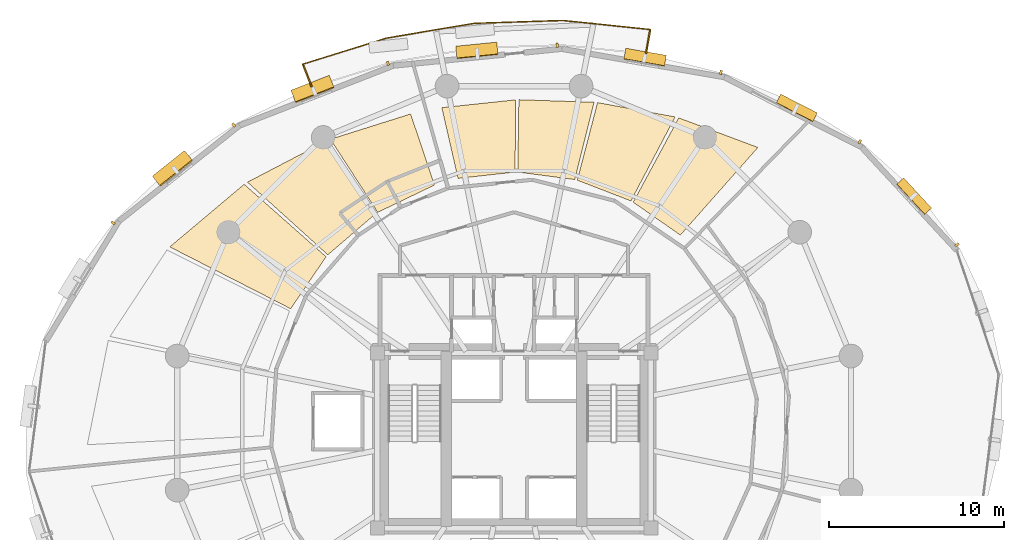
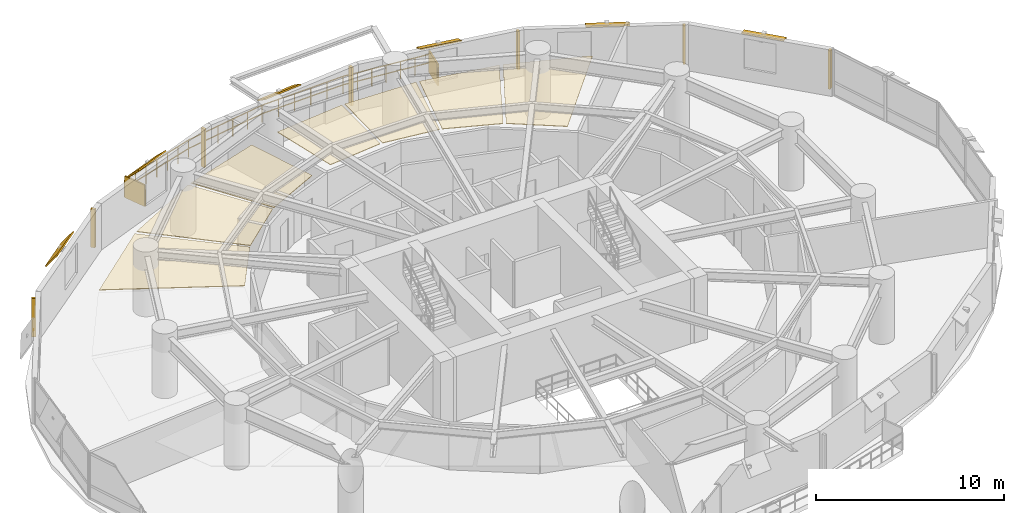
# One storey, part 17 of 17: 15 shading devices, 7 coverings, 1 railing.
"""IFC4 building model written with IfcOpenShell, lengths in metres."""

from ifc_helpers import new_model, si_unit, direction, frame, origin, origin_2d, place, context, subcontext, project, spatial, polyline, rectangle, outline, extrude, material, layer, layer_set, type_object, element, save


model = new_model("IFC4")

# Units and contexts
model_context = context("Model", 3, precision=1e-05, world=origin(), true_north=direction((0.0, 1.0)))
body_context = subcontext(model_context, "Body", "Model", "MODEL_VIEW")
ifc_project = project(units=[si_unit("LENGTHUNIT", "METRE"), si_unit("AREAUNIT", "SQUARE_METRE"), si_unit("VOLUMEUNIT", "CUBIC_METRE"), si_unit("PLANEANGLEUNIT", "RADIAN"), si_unit("MASSUNIT", "GRAM", prefix="KILO"), si_unit("THERMODYNAMICTEMPERATUREUNIT", "KELVIN"), si_unit("POWERUNIT", "WATT")], contexts=[model_context])

# Site, building, storey
site_placement = place(None, origin())
site = spatial("IfcSite", under=ifc_project, at=site_placement, CompositionType="ELEMENT")
building_placement = place(site_placement, origin())
building = spatial("IfcBuilding", under=site, at=building_placement, Name="Ocrelia Relay Tower", CompositionType="ELEMENT")
storey_placement = place(building_placement, frame((0.0, 0.0, 55.199951171875)))
storey = spatial("IfcBuildingStorey", under=building, at=storey_placement, Name="L12", CompositionType="ELEMENT", Elevation=55.199951171875)

# Coverings
ifc_material_1 = material(Name="Mineral-fiber acoustic ceiling tile", Category="gypsum")
ifc_layer_1 = layer(ifc_material_1, 0.0400390625, Name="Mineral-fiber acoustic ceiling tile")
ifc_layer_set_1 = layer_set([ifc_layer_1], Name="Mineral-fiber acoustic ceiling tile")
covering_type_1 = type_object("IfcCoveringType", Name="COV-CEIL-ACOUSTIC", PredefinedType="CEILING", material=ifc_layer_set_1)
covering_1_placement = place(storey_placement, frame((0.0, 0.0, 2.920166015625)))
element("IfcCovering", 1, at=covering_1_placement, inside=storey, type_object=covering_type_1, Name="L12 Carrier Briefing Room Suspended Ceiling 1", PredefinedType="CEILING", context=body_context, shape_type="SweptSolid", body=[
    extrude(outline(polyline([(29.456298828125, 39.580078125), (28.098876953125, 43.636962890625), (23.522216796875, 42.196044921875), (26.2216796875, 38.0234375), (29.456298828125, 39.580078125)])), origin(), (0.0, 0.0, 1.0), 0.039794921875),
])
covering_2_placement = place(storey_placement, frame((0.0, 0.0, 2.920166015625)))
element("IfcCovering", 2, at=covering_2_placement, inside=storey, type_object=covering_type_1, Name="L12 Carrier Briefing Room Suspended Ceiling 2", PredefinedType="CEILING", context=body_context, shape_type="SweptSolid", body=[
    extrude(outline(polyline([(26.09619140625, 37.941162109375), (23.33154296875, 42.1181640625), (18.787109375, 39.745849609375), (23.375, 35.6005859375), (26.09619140625, 37.941162109375)])), origin(), (0.0, 0.0, 1.0), 0.039794921875),
])
covering_3_placement = place(storey_placement, frame((0.0, 0.0, 2.920166015625)))
element("IfcCovering", 3, at=covering_3_placement, inside=storey, type_object=covering_type_1, Name="L12 Carrier Briefing Room Suspended Ceiling 3", PredefinedType="CEILING", context=body_context, shape_type="SweptSolid", body=[
    extrude(outline(polyline([(23.27490234375, 35.48876953125), (18.60107421875, 39.623779296875), (14.355224609375, 36.052734375), (21.252197265625, 32.5234375), (23.27490234375, 35.48876953125)])), origin(), (0.0, 0.0, 1.0), 0.039794921875),
])
ifc_material_2 = material(Name="Cleanroom metal-pan acoustic ceiling", Category="aluminium")
ifc_layer_2 = layer(ifc_material_2, 0.0400390625, Name="Cleanroom metal-pan acoustic ceiling")
ifc_layer_set_2 = layer_set([ifc_layer_2], Name="Cleanroom metal-pan acoustic ceiling")
covering_type_2 = type_object("IfcCoveringType", Name="COV-CEIL-CLEAN", PredefinedType="CEILING", material=ifc_layer_set_2)
covering_4_placement = place(storey_placement, frame((0.0, 0.0, 2.920166015625)))
element("IfcCovering", 4, at=covering_4_placement, inside=storey, type_object=covering_type_2, Name="L12 Optical Calibration Studio Suspended Ceiling 1", PredefinedType="CEILING", context=body_context, shape_type="SweptSolid", body=[
    extrude(outline(polyline([(43.48876953125, 36.72509765625), (47.914306640625, 41.727294921875), (43.395751953125, 43.413330078125), (40.7998046875, 38.6025390625), (43.48876953125, 36.72509765625)])), origin(), (0.0, 0.0, 1.0), 0.039794921875),
])
covering_5_placement = place(storey_placement, frame((0.0, 0.0, 2.920166015625)))
element("IfcCovering", 5, at=covering_5_placement, inside=storey, type_object=covering_type_2, Name="L12 Optical Calibration Studio Suspended Ceiling 2", PredefinedType="CEILING", context=body_context, shape_type="SweptSolid", body=[
    extrude(outline(polyline([(40.66748046875, 38.673095703125), (43.190673828125, 43.468505859375), (38.763427734375, 44.286865234375), (37.609619140625, 39.857666015625), (40.66748046875, 38.673095703125)])), origin(), (0.0, 0.0, 1.0), 0.039794921875),
])
covering_6_placement = place(storey_placement, frame((0.0, 0.0, 2.920166015625)))
element("IfcCovering", 6, at=covering_6_placement, inside=storey, type_object=covering_type_2, Name="L12 Optical Calibration Studio Suspended Ceiling 3", PredefinedType="CEILING", context=body_context, shape_type="SweptSolid", body=[
    extrude(outline(polyline([(37.46435546875, 39.89453125), (38.564697265625, 44.3076171875), (34.273681640625, 44.44970703125), (34.21240234375, 40.318359375), (37.46435546875, 39.89453125)])), origin(), (0.0, 0.0, 1.0), 0.039794921875),
])
covering_7_placement = place(storey_placement, frame((0.0, 0.0, 2.920166015625)))
element("IfcCovering", 7, at=covering_7_placement, inside=storey, type_object=covering_type_2, Name="L12 Optical Calibration Studio Suspended Ceiling 4", PredefinedType="CEILING", context=body_context, shape_type="SweptSolid", body=[
    extrude(outline(polyline([(34.0625, 40.31982421875), (34.08056640625, 44.442626953125), (29.878173828125, 43.99658203125), (30.802978515625, 39.95849609375), (34.0625, 40.31982421875)])), origin(), (0.0, 0.0, 1.0), 0.039794921875),
])

# Railing
ifc_material_3 = material(Name="Steel S355 balustrade", Category="steel")
railing_type = type_object("IfcRailingType", Name="RL-EXT-GUARD-1150", PredefinedType="GUARDRAIL", material=ifc_material_3)
railing_placement = place(storey_placement, frame((22.453125, 45.180419921875, 0.0)))
element("IfcRailing", 8, at=railing_placement, inside=storey, type_object=railing_type, Name="L12 Loggia Balcony Guard Rail B1", PredefinedType="GUARDRAIL", context=body_context, shape_type="SweptSolid", body=[
    extrude(rectangle(XDim=0.048095703125, YDim=0.048095703125, at=origin_2d()), frame((0.0, 0.0, 1.1259765625), z_axis=(-0.364280426444, 0.931289305699, 0.0), x_axis=(-0.931289305699, -0.364280426444, 0.0)), (0.0, 0.0, 1.0), 1.393310546875),
    extrude(rectangle(XDim=0.048095703125, YDim=0.048095703125, at=origin_2d()), frame((0.0, 0.0, 0.574951171875), z_axis=(-0.364280426444, 0.931289305699, 0.0), x_axis=(-0.931289305699, -0.364280426444, 0.0)), (0.0, 0.0, 1.0), 1.393310546875),
    extrude(rectangle(XDim=0.048095703125, YDim=0.048095703125, at=origin_2d()), frame((-0.507568359375, 1.297607421875, 1.1259765625), z_axis=(0.954616875741, 0.297836566847, 0.0), x_axis=(-0.297836566847, 0.954616875741, 0.0)), (0.0, 0.0, 1.0), 2.505126953125),
    extrude(rectangle(XDim=0.048095703125, YDim=0.048095703125, at=origin_2d()), frame((-0.507568359375, 1.297607421875, 0.574951171875), z_axis=(0.954616875741, 0.297836566847, 0.0), x_axis=(-0.297836566847, 0.954616875741, 0.0)), (0.0, 0.0, 1.0), 2.505126953125),
    extrude(rectangle(XDim=0.048095703125, YDim=0.048095703125, at=origin_2d()), frame((1.8837890625, 2.043701171875, 1.1259765625), z_axis=(0.954616875741, 0.297836566847, 0.0), x_axis=(-0.297836566847, 0.954616875741, 0.0)), (0.0, 0.0, 1.0), 2.505126953125),
    extrude(rectangle(XDim=0.048095703125, YDim=0.048095703125, at=origin_2d()), frame((1.8837890625, 2.043701171875, 0.574951171875), z_axis=(0.954616875741, 0.297836566847, 0.0), x_axis=(-0.297836566847, 0.954616875741, 0.0)), (0.0, 0.0, 1.0), 2.505126953125),
    extrude(rectangle(XDim=0.048095703125, YDim=0.048095703125, at=origin_2d()), frame((4.275146484375, 2.789794921875, 1.1259765625), z_axis=(0.986164992862, 0.165766724202, 0.0), x_axis=(-0.165766724202, 0.986164992862, 0.0)), (0.0, 0.0, 1.0), 5.06494140625),
    extrude(rectangle(XDim=0.048095703125, YDim=0.048095703125, at=origin_2d()), frame((4.275146484375, 2.789794921875, 0.574951171875), z_axis=(0.986164992862, 0.165766724202, 0.0), x_axis=(-0.165766724202, 0.986164992862, 0.0)), (0.0, 0.0, 1.0), 5.06494140625),
    extrude(rectangle(XDim=0.048095703125, YDim=0.048095703125, at=origin_2d()), frame((9.27001953125, 3.62939453125, 1.1259765625), z_axis=(0.999473731682, 0.032438552345, 0.0), x_axis=(-0.032438552345, 0.999473731682, 0.0)), (0.0, 0.0, 1.0), 5.065185546875),
    extrude(rectangle(XDim=0.048095703125, YDim=0.048095703125, at=origin_2d()), frame((9.27001953125, 3.62939453125, 0.574951171875), z_axis=(0.999473731682, 0.032438552345, 0.0), x_axis=(-0.032438552345, 0.999473731682, 0.0)), (0.0, 0.0, 1.0), 5.065185546875),
    extrude(rectangle(XDim=0.048095703125, YDim=0.048095703125, at=origin_2d()), frame((14.33251953125, 3.793701171875, 1.1259765625), z_axis=(0.994649747121, -0.10330479443, 0.0), x_axis=(0.10330479443, 0.994649747121, 0.0)), (0.0, 0.0, 1.0), 2.505126953125),
    extrude(rectangle(XDim=0.048095703125, YDim=0.048095703125, at=origin_2d()), frame((14.33251953125, 3.793701171875, 0.574951171875), z_axis=(0.994649747121, -0.10330479443, 0.0), x_axis=(0.10330479443, 0.994649747121, 0.0)), (0.0, 0.0, 1.0), 2.505126953125),
    extrude(rectangle(XDim=0.048095703125, YDim=0.048095703125, at=origin_2d()), frame((16.82421875, 3.534912109375, 1.1259765625), z_axis=(0.994658718221, -0.10321838144, 0.0), x_axis=(0.10321838144, 0.994658718221, 0.0)), (0.0, 0.0, 1.0), 2.5048828125),
    extrude(rectangle(XDim=0.048095703125, YDim=0.048095703125, at=origin_2d()), frame((16.82421875, 3.534912109375, 0.574951171875), z_axis=(0.994658718221, -0.10321838144, 0.0), x_axis=(0.10321838144, 0.994658718221, 0.0)), (0.0, 0.0, 1.0), 2.5048828125),
    extrude(rectangle(XDim=0.048095703125, YDim=0.048095703125, at=origin_2d()), frame((19.315673828125, 3.2763671875, 1.1259765625), z_axis=(-0.172915766639, -0.984936616056, 0.0), x_axis=(0.984936616056, -0.172915766639, 0.0)), (0.0, 0.0, 1.0), 1.3935546875),
    extrude(rectangle(XDim=0.048095703125, YDim=0.048095703125, at=origin_2d()), frame((19.315673828125, 3.2763671875, 0.574951171875), z_axis=(-0.172915766639, -0.984936616056, 0.0), x_axis=(0.984936616056, -0.172915766639, 0.0)), (0.0, 0.0, 1.0), 1.3935546875),
    extrude(rectangle(XDim=0.0419921875, YDim=0.0419921875, at=origin_2d()), origin(), (0.0, 0.0, 1.0), 1.101806640625),
    extrude(rectangle(XDim=0.0419921875, YDim=0.0419921875, at=origin_2d()), frame((-0.25390625, 0.64892578125, 0.0)), (0.0, 0.0, 1.0), 1.101806640625),
    extrude(rectangle(XDim=0.0419921875, YDim=0.0419921875, at=origin_2d()), frame((-0.507568359375, 1.297607421875, 0.0)), (0.0, 0.0, 1.0), 1.101806640625),
    extrude(rectangle(XDim=0.0419921875, YDim=0.0419921875, at=origin_2d()), frame((0.28955078125, 1.54638671875, 0.0)), (0.0, 0.0, 1.0), 1.101806640625),
    extrude(rectangle(XDim=0.0419921875, YDim=0.0419921875, at=origin_2d()), frame((1.086669921875, 1.794921875, 0.0)), (0.0, 0.0, 1.0), 1.101806640625),
    extrude(rectangle(XDim=0.0419921875, YDim=0.0419921875, at=origin_2d()), frame((1.8837890625, 2.043701171875, 0.0)), (0.0, 0.0, 1.0), 1.101806640625),
    extrude(rectangle(XDim=0.0419921875, YDim=0.0419921875, at=origin_2d()), frame((2.680908203125, 2.29248046875, 0.0)), (0.0, 0.0, 1.0), 1.101806640625),
    extrude(rectangle(XDim=0.0419921875, YDim=0.0419921875, at=origin_2d()), frame((3.47802734375, 2.541015625, 0.0)), (0.0, 0.0, 1.0), 1.101806640625),
    extrude(rectangle(XDim=0.0419921875, YDim=0.0419921875, at=origin_2d()), frame((4.275146484375, 2.789794921875, 0.0)), (0.0, 0.0, 1.0), 1.101806640625),
    extrude(rectangle(XDim=0.0419921875, YDim=0.0419921875, at=origin_2d()), frame((5.274169921875, 2.957763671875, 0.0)), (0.0, 0.0, 1.0), 1.101806640625),
    extrude(rectangle(XDim=0.0419921875, YDim=0.0419921875, at=origin_2d()), frame((6.273193359375, 3.125732421875, 0.0)), (0.0, 0.0, 1.0), 1.101806640625),
    extrude(rectangle(XDim=0.0419921875, YDim=0.0419921875, at=origin_2d()), frame((7.27197265625, 3.29345703125, 0.0)), (0.0, 0.0, 1.0), 1.101806640625),
    extrude(rectangle(XDim=0.0419921875, YDim=0.0419921875, at=origin_2d()), frame((8.27099609375, 3.46142578125, 0.0)), (0.0, 0.0, 1.0), 1.101806640625),
    extrude(rectangle(XDim=0.0419921875, YDim=0.0419921875, at=origin_2d()), frame((9.27001953125, 3.62939453125, 0.0)), (0.0, 0.0, 1.0), 1.101806640625),
    extrude(rectangle(XDim=0.0419921875, YDim=0.0419921875, at=origin_2d()), frame((10.282470703125, 3.662353515625, 0.0)), (0.0, 0.0, 1.0), 1.101806640625),
    extrude(rectangle(XDim=0.0419921875, YDim=0.0419921875, at=origin_2d()), frame((11.294921875, 3.695068359375, 0.0)), (0.0, 0.0, 1.0), 1.101806640625),
    extrude(rectangle(XDim=0.0419921875, YDim=0.0419921875, at=origin_2d()), frame((12.3076171875, 3.72802734375, 0.0)), (0.0, 0.0, 1.0), 1.101806640625),
    extrude(rectangle(XDim=0.0419921875, YDim=0.0419921875, at=origin_2d()), frame((13.320068359375, 3.7607421875, 0.0)), (0.0, 0.0, 1.0), 1.101806640625),
    extrude(rectangle(XDim=0.0419921875, YDim=0.0419921875, at=origin_2d()), frame((14.33251953125, 3.793701171875, 0.0)), (0.0, 0.0, 1.0), 1.101806640625),
    extrude(rectangle(XDim=0.0419921875, YDim=0.0419921875, at=origin_2d()), frame((15.1630859375, 3.70751953125, 0.0)), (0.0, 0.0, 1.0), 1.101806640625),
    extrude(rectangle(XDim=0.0419921875, YDim=0.0419921875, at=origin_2d()), frame((15.99365234375, 3.62109375, 0.0)), (0.0, 0.0, 1.0), 1.101806640625),
    extrude(rectangle(XDim=0.0419921875, YDim=0.0419921875, at=origin_2d()), frame((16.82421875, 3.534912109375, 0.0)), (0.0, 0.0, 1.0), 1.101806640625),
    extrude(rectangle(XDim=0.0419921875, YDim=0.0419921875, at=origin_2d()), frame((17.65478515625, 3.44873046875, 0.0)), (0.0, 0.0, 1.0), 1.101806640625),
    extrude(rectangle(XDim=0.0419921875, YDim=0.0419921875, at=origin_2d()), frame((18.485107421875, 3.362548828125, 0.0)), (0.0, 0.0, 1.0), 1.101806640625),
    extrude(rectangle(XDim=0.0419921875, YDim=0.0419921875, at=origin_2d()), frame((19.315673828125, 3.2763671875, 0.0)), (0.0, 0.0, 1.0), 1.101806640625),
    extrude(rectangle(XDim=0.0419921875, YDim=0.0419921875, at=origin_2d()), frame((19.1953125, 2.590087890625, 0.0)), (0.0, 0.0, 1.0), 1.101806640625),
    extrude(rectangle(XDim=0.0419921875, YDim=0.0419921875, at=origin_2d()), frame((19.07470703125, 1.90380859375, 0.0)), (0.0, 0.0, 1.0), 1.101806640625),
])

# Shading devices
ifc_material_4 = material(Name="Perforated oxide terracotta solar screen", Category="masonry")
ifc_layer_3 = layer(ifc_material_4, 0.090087890625, Name="Perforated oxide terracotta solar screen")
ifc_layer_set_3 = layer_set([ifc_layer_3], Name="Perforated oxide terracotta solar screen")
shading_device_type_1 = type_object("IfcShadingDeviceType", Name="SH-BALC-SCREEN", PredefinedType="USERDEFINED", material=ifc_layer_set_3)
for number, where, z_axis, x_axis, name in (
    (9, (41.6484375, 47.7705078125, 0.0), (0.0, 0.0, 1.0), (0.173015656653, 0.984919074114, 0.0), "L12 Balcony Perforated Terracotta Screen B1-1"),
    (10, (22.199462890625, 45.829345703125, 0.0), (0.0, 0.0, 1.0), (-0.364277580789, 0.931290418793, 0.0), "L12 Balcony Perforated Terracotta Screen B1-2"),
):
    element("IfcShadingDevice", number, at=place(storey_placement, frame(where, z_axis=z_axis, x_axis=x_axis)), inside=storey, type_object=shading_device_type_1, Name=name, ObjectType="SCREEN", PredefinedType="USERDEFINED", context=body_context, shape_type="SweptSolid", body=[
        extrude(rectangle(XDim=1.340087890625, YDim=0.090087890625, at=origin_2d()), origin(), (0.0, 0.0, 1.0), 1.39990234375),
    ])
ifc_material_5 = material(Name="Extruded oxide terracotta vertical baguette", Category="masonry")
shading_device_type_2 = type_object("IfcShadingDeviceType", Name="SH-TERR-BAGUETTE", PredefinedType="USERDEFINED", material=ifc_material_5)
for number, where, z_axis, x_axis, name in (
    (11, (59.277099609375, 36.176025390625, 0.25), (0.0, 0.0, 1.0), (-0.678150648108, 0.734922920088, 0.0), "L12 Oxide Terracotta Vertical Baguette 02"),
    (12, (53.7216796875, 42.052734375, 0.25), (0.0, 0.0, 1.0), (-0.890709621083, 0.454572734456, 0.0), "L12 Oxide Terracotta Vertical Baguette 03"),
    (13, (45.80224609375, 46.00341796875, 0.25), (0.0, 0.0, 1.0), (-0.985164027211, 0.171615382436, 0.0), "L12 Oxide Terracotta Vertical Baguette 04"),
    (14, (36.45849609375, 47.55712890625, 0.25), (0.0, 0.0, 1.0), (-0.995055734364, -0.099318102623, 0.0), "L12 Oxide Terracotta Vertical Baguette 05"),
    (15, (26.805908203125, 46.5205078125, 0.25), (0.0, 0.0, 1.0), (-0.93180667955, -0.362954972338, 0.0), "L12 Oxide Terracotta Vertical Baguette 06"),
    (16, (18.005615234375, 43.005615234375, 0.25), (0.0, 0.0, 1.0), (-0.783290661146, -0.621655644358, 0.0), "L12 Oxide Terracotta Vertical Baguette 07"),
    (17, (11.128173828125, 37.423095703125, 0.25), (0.0, 0.0, 1.0), (-0.51949918611, -0.854470944872, 0.0), "L12 Oxide Terracotta Vertical Baguette 08"),
):
    element("IfcShadingDevice", number, at=place(storey_placement, frame(where, z_axis=z_axis, x_axis=x_axis)), inside=storey, type_object=shading_device_type_2, Name=name, ObjectType="BAGUETTE", PredefinedType="USERDEFINED", context=body_context, shape_type="SweptSolid", body=[
        extrude(rectangle(XDim=0.139892578125, YDim=0.239990234375, at=origin_2d()), origin(), (0.0, 0.0, 1.0), 2.5),
    ])
ifc_material_6 = material(Name="Extruded oxide terracotta fin", Category="masonry")
ifc_layer_4 = layer(ifc_material_6, 0.080078125, Name="Extruded oxide terracotta fin")
ifc_layer_set_4 = layer_set([ifc_layer_4], Name="Extruded oxide terracotta fin")
shading_device_type_3 = type_object("IfcShadingDeviceType", Name="SH-VISOR-FIN-MED", PredefinedType="USERDEFINED", material=ifc_layer_set_4)
shading_device_1_placement = place(storey_placement, frame((31.880126953125, 47.237548828125, 2.806884765625), z_axis=(-0.055638532079, 0.557435542312, 0.828353770991), x_axis=(-0.995055734364, -0.099318102623, 0.0)))
element("IfcShadingDevice", 18, at=shading_device_1_placement, inside=storey, type_object=shading_device_type_3, Name="L12 Canted Terracotta Sun-Visor Fin 05", ObjectType="FIN", PredefinedType="USERDEFINED", context=body_context, shape_type="SweptSolid", body=[
    extrude(rectangle(XDim=2.35009765625, YDim=0.818115234375, at=origin_2d()), origin(), (0.0, 0.0, 1.0), 0.080078125),
])
shading_device_2_placement = place(storey_placement, frame((22.5087890625, 45.03271484375, 2.8115234375), z_axis=(-0.254624319235, 0.653691668448, 0.712638518925), x_axis=(-0.93180667955, -0.362954972338, 0.0)))
element("IfcShadingDevice", 19, at=shading_device_2_placement, inside=storey, type_object=shading_device_type_3, Name="L12 Canted Terracotta Sun-Visor Fin 06", ObjectType="FIN", PredefinedType="USERDEFINED", context=body_context, shape_type="SweptSolid", body=[
    extrude(rectangle(XDim=2.35009765625, YDim=0.992919921875, at=origin_2d()), origin(), (0.0, 0.0, 1.0), 0.080078125),
])
shading_device_3_placement = place(storey_placement, frame((14.52880859375, 40.5029296875, 2.816162109375), z_axis=(-0.498946604382, 0.628676372796, 0.596505074801), x_axis=(-0.783290661146, -0.621655644358, 0.0)))
element("IfcShadingDevice", 20, at=shading_device_3_placement, inside=storey, type_object=shading_device_type_3, Name="L12 Canted Terracotta Sun-Visor Fin 07", ObjectType="FIN", PredefinedType="USERDEFINED", context=body_context, shape_type="SweptSolid", body=[
    extrude(rectangle(XDim=2.35009765625, YDim=1.139892578125, at=origin_2d()), origin(), (0.0, 0.0, 1.0), 0.080078125),
])
ifc_layer_5 = layer(ifc_material_6, 0.080078125, Name="Extruded oxide terracotta fin")
ifc_layer_set_5 = layer_set([ifc_layer_5], Name="Extruded oxide terracotta fin")
shading_device_type_4 = type_object("IfcShadingDeviceType", Name="SH-VISOR-FIN-SHAL", PredefinedType="USERDEFINED", material=ifc_layer_set_5)
shading_device_4_placement = place(storey_placement, frame((56.815185546875, 38.937744140625, 2.802001953125), z_axis=(0.228079372988, 0.21046040392, 0.950624120249), x_axis=(-0.678150648108, 0.734922920088, 0.0)))
element("IfcShadingDevice", 21, at=shading_device_4_placement, inside=storey, type_object=shading_device_type_4, Name="L12 Canted Terracotta Sun-Visor Fin 02", ObjectType="FIN", PredefinedType="USERDEFINED", context=body_context, shape_type="SweptSolid", body=[
    extrude(rectangle(XDim=2.35009765625, YDim=0.551025390625, at=origin_2d()), origin(), (0.0, 0.0, 1.0), 0.080078125),
])
shading_device_5_placement = place(storey_placement, frame((50.12451171875, 43.96533203125, 2.802490234375), z_axis=(0.154876454452, 0.303471672634, 0.94016925485), x_axis=(-0.890709621083, 0.454572734456, 0.0)))
element("IfcShadingDevice", 22, at=shading_device_5_placement, inside=storey, type_object=shading_device_type_4, Name="L12 Canted Terracotta Sun-Visor Fin 03", ObjectType="FIN", PredefinedType="USERDEFINED", context=body_context, shape_type="SweptSolid", body=[
    extrude(rectangle(XDim=2.35009765625, YDim=0.58203125, at=origin_2d()), origin(), (0.0, 0.0, 1.0), 0.080078125),
])
shading_device_6_placement = place(storey_placement, frame((41.473876953125, 46.85400390625, 2.803955078125), z_axis=(0.072853389889, 0.418217399631, 0.905420670312), x_axis=(-0.985164027211, 0.171615382436, 0.0)))
element("IfcShadingDevice", 23, at=shading_device_6_placement, inside=storey, type_object=shading_device_type_4, Name="L12 Canted Terracotta Sun-Visor Fin 04", ObjectType="FIN", PredefinedType="USERDEFINED", context=body_context, shape_type="SweptSolid", body=[
    extrude(rectangle(XDim=2.35009765625, YDim=0.6689453125, at=origin_2d()), origin(), (0.0, 0.0, 1.0), 0.080078125),
])

save(model, "model.ifc")
